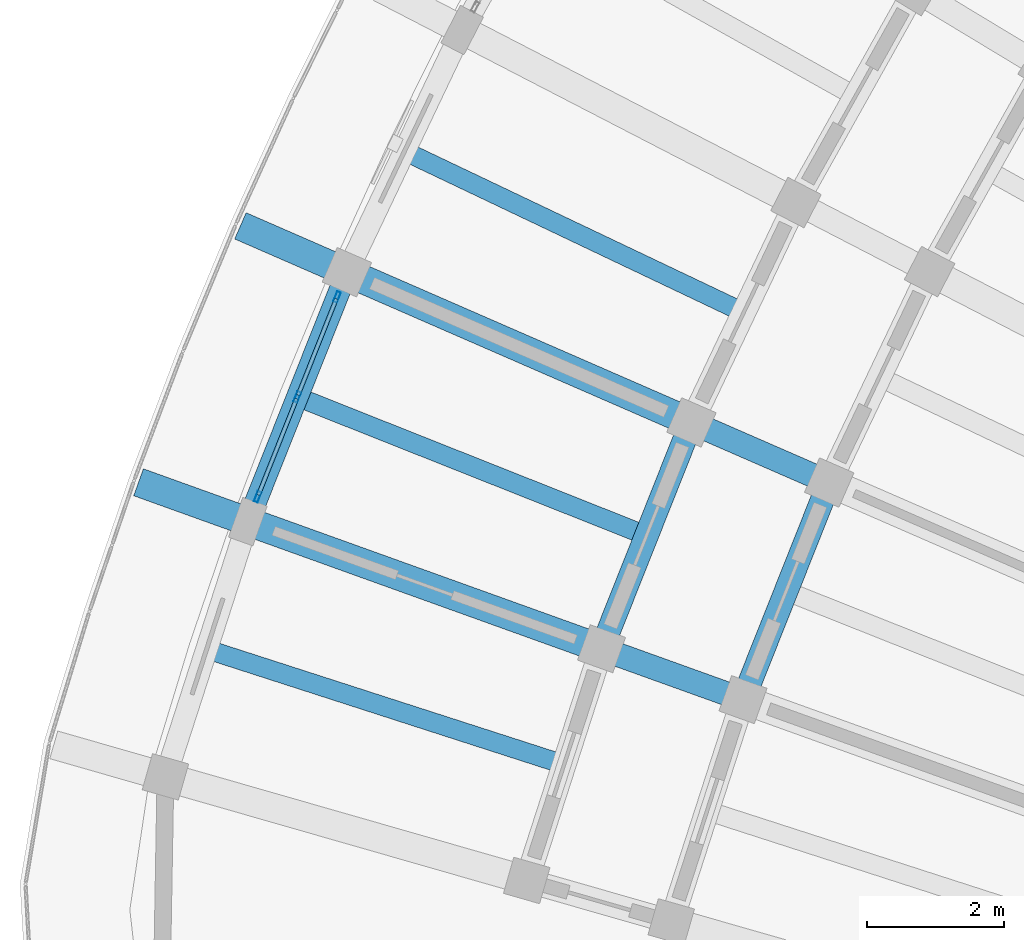
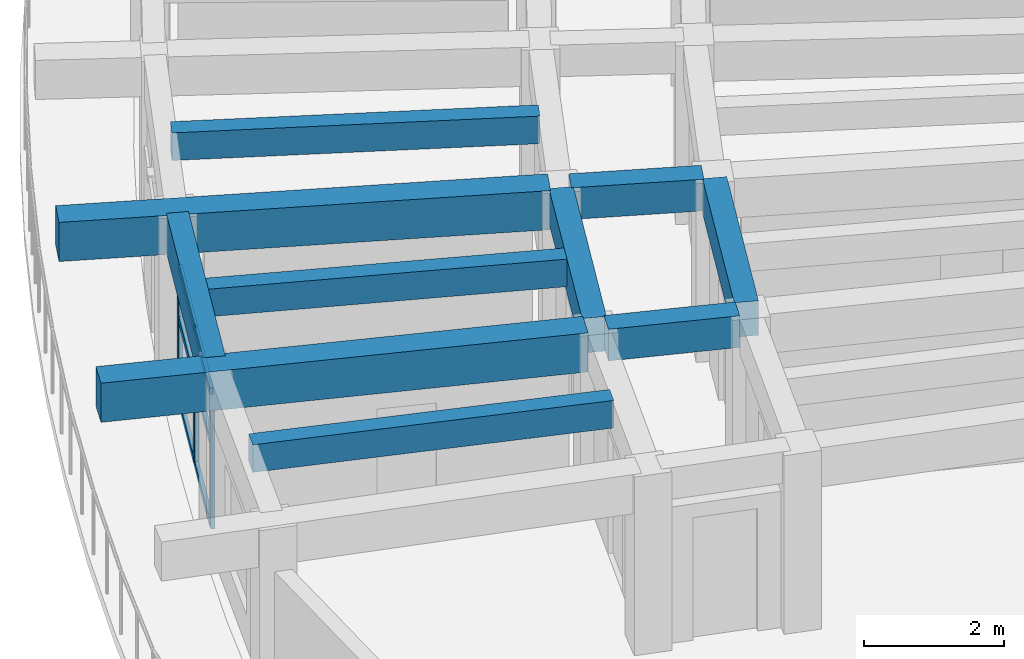
# One storey, part 12 of 96: 10 beams, 9 members, 1 element without a shape of its own.
"""IFC4 building model written with IfcOpenShell, lengths in metres."""

from ifc_helpers import new_model, si_unit, direction, frame, origin, origin_2d, place, context, subcontext, project, spatial, rectangle, hollow_rectangle, extrude, material, material_profile, profile_set, type_object, element, aggregate, save


model = new_model("IFC4")

# Units and contexts
model_context = context("Model", 3, precision=1e-05, world=origin(), true_north=direction((0.0, 1.0)))
body_context = subcontext(model_context, "Body", "Model", "MODEL_VIEW")
ifc_project = project(units=[si_unit("LENGTHUNIT", "METRE"), si_unit("AREAUNIT", "SQUARE_METRE"), si_unit("VOLUMEUNIT", "CUBIC_METRE"), si_unit("PLANEANGLEUNIT", "RADIAN"), si_unit("MASSUNIT", "GRAM", prefix="KILO")], contexts=[model_context])

# Site, building, storey
site_placement = place(None, origin())
site = spatial("IfcSite", under=ifc_project, at=site_placement, CompositionType="ELEMENT")
building_placement = place(site_placement, origin())
building = spatial("IfcBuilding", under=site, at=building_placement, Name="Tanwirah Colonnade Gardens", CompositionType="ELEMENT")
storey_placement = place(building_placement, frame((0.0, 0.0, 12.199951171875)))
storey = spatial("IfcBuildingStorey", under=building, at=storey_placement, Name="L03", CompositionType="ELEMENT", Elevation=12.199951171875)

# Beams
ifc_material_1 = material(Name="Precast concrete C40/50", Category="concrete")
ifc_material_profile_1 = material_profile(ifc_material_1, rectangle(XDim=0.35009765625, YDim=0.550048828125, at=origin_2d()), Name="PC-BM 350x550")
ifc_profile_set_1 = profile_set([ifc_material_profile_1], Name="Precast concrete C40/50")
beam_type_1 = type_object("IfcBeamType", Name="BM-PC350A", PredefinedType="BEAM", material=ifc_profile_set_1)
for number, where, z_axis, x_axis, name in (
    (1, (17.3330078125, 80.981201171875, 2.830078125), (-0.916681481826, 0.399618644306, 0.0), (-0.399618644306, -0.916681481826, 0.0), "Block A L03 Corridor Tie Beam 16"),
    (2, (16.0673828125, 77.79541015625, 2.830078125), (-0.941021664552, 0.338346311999, 0.0), (-0.338346311999, -0.941021664552, 0.0), "Block A L03 Corridor Tie Beam 17"),
):
    element("IfcBeam", number, at=place(storey_placement, frame(where, z_axis=z_axis, x_axis=x_axis)), inside=storey, type_object=beam_type_1, Name=name, PredefinedType="BEAM", context=body_context, shape_type="SweptSolid", body=[
        extrude(rectangle(XDim=0.35009765625, YDim=0.550048828125, at=origin_2d()), origin(), (0.0, 0.0, 1.0), 1.89990234375),
    ])
ifc_material_profile_2 = material_profile(ifc_material_1, rectangle(XDim=0.35009765625, YDim=0.60009765625, at=origin_2d()), Name="PC-BM 350x600")
ifc_profile_set_2 = profile_set([ifc_material_profile_2], Name="Precast concrete C40/50")
beam_type_2 = type_object("IfcBeamType", Name="BM-PC350B", PredefinedType="BEAM", material=ifc_profile_set_2)
beam_1_placement = place(storey_placement, frame((17.4150390625, 80.78173828125, 2.804931640625), z_axis=(-0.369189105832, -0.929354294193, 0.0), x_axis=(0.929354294193, -0.369189105832, 0.0)))
element("IfcBeam", 3, at=beam_1_placement, inside=storey, type_object=beam_type_2, Name="Block A L03 Circumferential Beam 16-R1", PredefinedType="BEAM", context=body_context, shape_type="SweptSolid", body=[
    extrude(rectangle(XDim=0.35009765625, YDim=0.60009765625, at=origin_2d()), origin(), (0.0, 0.0, 1.0), 3.117919921875),
])
beam_2_placement = place(storey_placement, frame((15.3984375, 81.6611328125, 2.804931640625), z_axis=(-0.369209712056, -0.929346108037, 0.0), x_axis=(0.929346108037, -0.369209712056, 0.0)))
element("IfcBeam", 4, at=beam_2_placement, inside=storey, type_object=beam_type_2, Name="Block A L03 Circumferential Beam 16-R2", PredefinedType="BEAM", context=body_context, shape_type="SweptSolid", body=[
    extrude(rectangle(XDim=0.35009765625, YDim=0.60009765625, at=origin_2d()), origin(), (0.0, 0.0, 1.0), 3.26318359375),
])
ifc_material_2 = material(Name="Precast concrete C45/55", Category="concrete")
ifc_material_profile_3 = material_profile(ifc_material_2, rectangle(XDim=0.419921875, YDim=0.679931640625, at=origin_2d()), Name="PC-BM 420x680")
ifc_profile_set_3 = profile_set([ifc_material_profile_3], Name="Precast concrete C45/55")
beam_type_3 = type_object("IfcBeamType", Name="BM-PC420", PredefinedType="BEAM", material=ifc_profile_set_3)
beam_3_placement = place(storey_placement, frame((15.31640625, 81.8603515625, 2.76513671875), z_axis=(-0.916678725612, 0.399624966702, 0.0), x_axis=(-0.399624966702, -0.916678725612, 0.0)))
element("IfcBeam", 5, at=beam_3_placement, inside=storey, type_object=beam_type_3, Name="Block A L03 Outer Radial Precast Girder 16", PredefinedType="BEAM", context=body_context, shape_type="SweptSolid", body=[
    extrude(rectangle(XDim=0.419921875, YDim=0.679931640625, at=origin_2d()), origin(), (0.0, 0.0, 1.0), 7.050048828125),
])
beam_4_placement = place(storey_placement, frame((13.9970703125, 78.539794921875, 2.76513671875), z_axis=(-0.941011841171, 0.338373631917, 0.0), x_axis=(-0.338373631917, -0.941011841171, 0.0)))
element("IfcBeam", 6, at=beam_4_placement, inside=storey, type_object=beam_type_3, Name="Block A L03 Outer Radial Precast Girder 17", PredefinedType="BEAM", context=body_context, shape_type="SweptSolid", body=[
    extrude(rectangle(XDim=0.419921875, YDim=0.679931640625, at=origin_2d()), origin(), (0.0, 0.0, 1.0), 7.0498046875),
])

# Curtain wall, members
ifc_material_3 = material(Name="Bronze-anodised aluminium and solar-control low-E glass", Category="aluminium")
curtain_wall_type = type_object("IfcCurtainWallType", Name="CW-LOB", PredefinedType="NOTDEFINED", material=ifc_material_3)
curtain_wall_placement = place(storey_placement, origin())
curtain_wall = element("IfcCurtainWall", 7, at=curtain_wall_placement, inside=storey, type_object=curtain_wall_type, Name="Curtain Wall CW-A-L03-OUT-16", PredefinedType="NOTDEFINED")
ifc_material_4 = material(Name="Bronze-anodised aluminium", Category="aluminium")
ifc_material_profile_4 = material_profile(ifc_material_4, hollow_rectangle(XDim=0.06005859375, YDim=0.159912109375, WallThickness=0.00390625, at=origin_2d()), Name="CW-MUL 60x160x4")
ifc_profile_set_4 = profile_set([ifc_material_profile_4], Name="Bronze-anodised aluminium")
member_type_1 = type_object("IfcMemberType", Name="CWM-60x160", PredefinedType="MULLION", material=ifc_profile_set_4)
member_1_placement = place(storey_placement, frame((10.26806640625, 83.635986328125, 0.0), z_axis=(0.0, 0.0, 1.0), x_axis=(0.929346924976, -0.369207655713, 0.0)))
member_1 = element("IfcMember", 8, at=member_1_placement, type_object=member_type_1, Name="CW-LOB mullion 1", PredefinedType="MULLION", context=body_context, shape_type="SweptSolid", body=[
    extrude(hollow_rectangle(XDim=0.06005859375, YDim=0.159912109375, WallThickness=0.00390625, at=origin_2d()), origin(), (0.0, 0.0, 1.0), 2.35498046875),
])
member_2_placement = place(storey_placement, frame((9.6875, 82.17431640625, 0.0), z_axis=(0.0, 0.0, 1.0), x_axis=(0.929346924976, -0.369207655713, 0.0)))
member_2 = element("IfcMember", 9, at=member_2_placement, type_object=member_type_1, Name="CW-LOB mullion 2", PredefinedType="MULLION", context=body_context, shape_type="SweptSolid", body=[
    extrude(hollow_rectangle(XDim=0.06005859375, YDim=0.159912109375, WallThickness=0.00390625, at=origin_2d()), origin(), (0.0, 0.0, 1.0), 2.35498046875),
])
member_3_placement = place(storey_placement, frame((9.106689453125, 80.712646484375, 0.0), z_axis=(0.0, 0.0, 1.0), x_axis=(0.929346924976, -0.369207655713, 0.0)))
member_3 = element("IfcMember", 10, at=member_3_placement, type_object=member_type_1, Name="CW-LOB mullion 3", PredefinedType="MULLION", context=body_context, shape_type="SweptSolid", body=[
    extrude(hollow_rectangle(XDim=0.06005859375, YDim=0.159912109375, WallThickness=0.00390625, at=origin_2d()), origin(), (0.0, 0.0, 1.0), 2.35498046875),
])
ifc_material_profile_5 = material_profile(ifc_material_4, hollow_rectangle(XDim=0.06005859375, YDim=0.1201171875, WallThickness=0.00390625, at=origin_2d()), Name="CW-TRN 60x120x4")
ifc_profile_set_5 = profile_set([ifc_material_profile_5], Name="Bronze-anodised aluminium")
member_type_2 = type_object("IfcMemberType", Name="CWT-60x120", PredefinedType="USERDEFINED", material=ifc_profile_set_5)
member_4_placement = place(storey_placement, frame((10.257080078125, 83.608154296875, 0.030029296875), z_axis=(-0.369219484637, -0.929342225536, 0.0), x_axis=(0.929342225536, -0.369219484637, 0.0)))
member_4 = element("IfcMember", 11, at=member_4_placement, type_object=member_type_2, Name="CW-LOB transom 1.1", ObjectType="TRANSOM", PredefinedType="USERDEFINED", context=body_context, shape_type="SweptSolid", body=[
    extrude(hollow_rectangle(XDim=0.06005859375, YDim=0.1201171875, WallThickness=0.00390625, at=origin_2d()), origin(), (0.0, 0.0, 1.0), 1.512939453125),
])
member_5_placement = place(storey_placement, frame((10.257080078125, 83.608154296875, 1.460205078125), z_axis=(-0.369219484637, -0.929342225536, 0.0), x_axis=(0.929342225536, -0.369219484637, 0.0)))
member_5 = element("IfcMember", 12, at=member_5_placement, type_object=member_type_2, Name="CW-LOB transom 1.2", ObjectType="TRANSOM", PredefinedType="USERDEFINED", context=body_context, shape_type="SweptSolid", body=[
    extrude(hollow_rectangle(XDim=0.06005859375, YDim=0.1201171875, WallThickness=0.00390625, at=origin_2d()), origin(), (0.0, 0.0, 1.0), 1.512939453125),
])
member_6_placement = place(storey_placement, frame((10.257080078125, 83.608154296875, 2.324951171875), z_axis=(-0.369219484637, -0.929342225536, 0.0), x_axis=(0.929342225536, -0.369219484637, 0.0)))
member_6 = element("IfcMember", 13, at=member_6_placement, type_object=member_type_2, Name="CW-LOB transom 1.3", ObjectType="TRANSOM", PredefinedType="USERDEFINED", context=body_context, shape_type="SweptSolid", body=[
    extrude(hollow_rectangle(XDim=0.06005859375, YDim=0.1201171875, WallThickness=0.00390625, at=origin_2d()), origin(), (0.0, 0.0, 1.0), 1.512939453125),
])
member_7_placement = place(storey_placement, frame((9.67626953125, 82.146484375, 0.030029296875), z_axis=(-0.369219484637, -0.929342225536, 0.0), x_axis=(0.929342225536, -0.369219484637, 0.0)))
member_7 = element("IfcMember", 14, at=member_7_placement, type_object=member_type_2, Name="CW-LOB transom 2.1", ObjectType="TRANSOM", PredefinedType="USERDEFINED", context=body_context, shape_type="SweptSolid", body=[
    extrude(hollow_rectangle(XDim=0.06005859375, YDim=0.1201171875, WallThickness=0.00390625, at=origin_2d()), origin(), (0.0, 0.0, 1.0), 1.512939453125),
])
member_8_placement = place(storey_placement, frame((9.67626953125, 82.146484375, 1.460205078125), z_axis=(-0.369219484637, -0.929342225536, 0.0), x_axis=(0.929342225536, -0.369219484637, 0.0)))
member_8 = element("IfcMember", 15, at=member_8_placement, type_object=member_type_2, Name="CW-LOB transom 2.2", ObjectType="TRANSOM", PredefinedType="USERDEFINED", context=body_context, shape_type="SweptSolid", body=[
    extrude(hollow_rectangle(XDim=0.06005859375, YDim=0.1201171875, WallThickness=0.00390625, at=origin_2d()), origin(), (0.0, 0.0, 1.0), 1.512939453125),
])
member_9_placement = place(storey_placement, frame((9.67626953125, 82.146484375, 2.324951171875), z_axis=(-0.369219484637, -0.929342225536, 0.0), x_axis=(0.929342225536, -0.369219484637, 0.0)))
member_9 = element("IfcMember", 16, at=member_9_placement, type_object=member_type_2, Name="CW-LOB transom 2.3", ObjectType="TRANSOM", PredefinedType="USERDEFINED", context=body_context, shape_type="SweptSolid", body=[
    extrude(hollow_rectangle(XDim=0.06005859375, YDim=0.1201171875, WallThickness=0.00390625, at=origin_2d()), origin(), (0.0, 0.0, 1.0), 1.512939453125),
])
aggregate(curtain_wall, [member_1, member_2, member_3, member_4, member_5, member_6, member_7, member_8, member_9])

# Beams
ifc_material_profile_6 = material_profile(ifc_material_1, rectangle(XDim=0.280029296875, YDim=0.47998046875, at=origin_2d()), Name="PC-JST 280x480")
ifc_profile_set_6 = profile_set([ifc_material_profile_6], Name="Precast concrete C40/50")
beam_type_4 = type_object("IfcBeamType", Name="JST-PC280", PredefinedType="JOIST", material=ifc_profile_set_6)
beam_5_placement = place(storey_placement, frame((16.08447265625, 83.473388671875, 2.864990234375), z_axis=(-0.903018314862, 0.429602051931, 0.0), x_axis=(-0.429602051931, -0.903018314862, 0.0)))
element("IfcBeam", 17, at=beam_5_placement, inside=storey, type_object=beam_type_4, Name="Block A L03 Precast Floor Joist 15", PredefinedType="JOIST", context=body_context, shape_type="SweptSolid", body=[
    extrude(rectangle(XDim=0.280029296875, YDim=0.47998046875, at=origin_2d()), origin(), (0.0, 0.0, 1.0), 5.26025390625),
])
beam_6_placement = place(storey_placement, frame((14.6572265625, 80.199951171875, 2.864990234375), z_axis=(-0.929357539836, 0.369180935517, 0.0), x_axis=(-0.369180935517, -0.929357539836, 0.0)))
element("IfcBeam", 18, at=beam_6_placement, inside=storey, type_object=beam_type_4, Name="Block A L03 Precast Floor Joist 16", PredefinedType="JOIST", context=body_context, shape_type="SweptSolid", body=[
    extrude(rectangle(XDim=0.280029296875, YDim=0.47998046875, at=origin_2d()), origin(), (0.0, 0.0, 1.0), 5.260009765625),
])
beam_7_placement = place(storey_placement, frame((13.448974609375, 76.839599609375, 2.864990234375), z_axis=(-0.951656985441, 0.307162794072, 0.0), x_axis=(-0.307162794072, -0.951656985441, 0.0)))
element("IfcBeam", 19, at=beam_7_placement, inside=storey, type_object=beam_type_4, Name="Block A L03 Precast Floor Joist 17", PredefinedType="JOIST", context=body_context, shape_type="SweptSolid", body=[
    extrude(rectangle(XDim=0.280029296875, YDim=0.47998046875, at=origin_2d()), origin(), (0.0, 0.0, 1.0), 5.26025390625),
])
ifc_material_profile_7 = material_profile(ifc_material_2, rectangle(XDim=0.320068359375, YDim=0.679931640625, at=origin_2d()), Name="PC-SP 320x680")
ifc_profile_set_7 = profile_set([ifc_material_profile_7], Name="Precast concrete C45/55")
beam_type_5 = type_object("IfcBeamType", Name="SP-PC320", PredefinedType="SPANDREL", material=ifc_profile_set_7)
beam_8_placement = place(storey_placement, frame((10.356689453125, 83.859130859375, 2.76513671875), z_axis=(-0.369195460985, -0.929351769562, 0.0), x_axis=(0.929351769562, -0.369195460985, 0.0)))
element("IfcBeam", 20, at=beam_8_placement, inside=storey, type_object=beam_type_5, Name="Block A L03 Circumferential Beam 16-R3", PredefinedType="SPANDREL", context=body_context, shape_type="SweptSolid", body=[
    extrude(rectangle(XDim=0.320068359375, YDim=0.679931640625, at=origin_2d()), origin(), (0.0, 0.0, 1.0), 3.625732421875),
])

save(model, "model.ifc")
